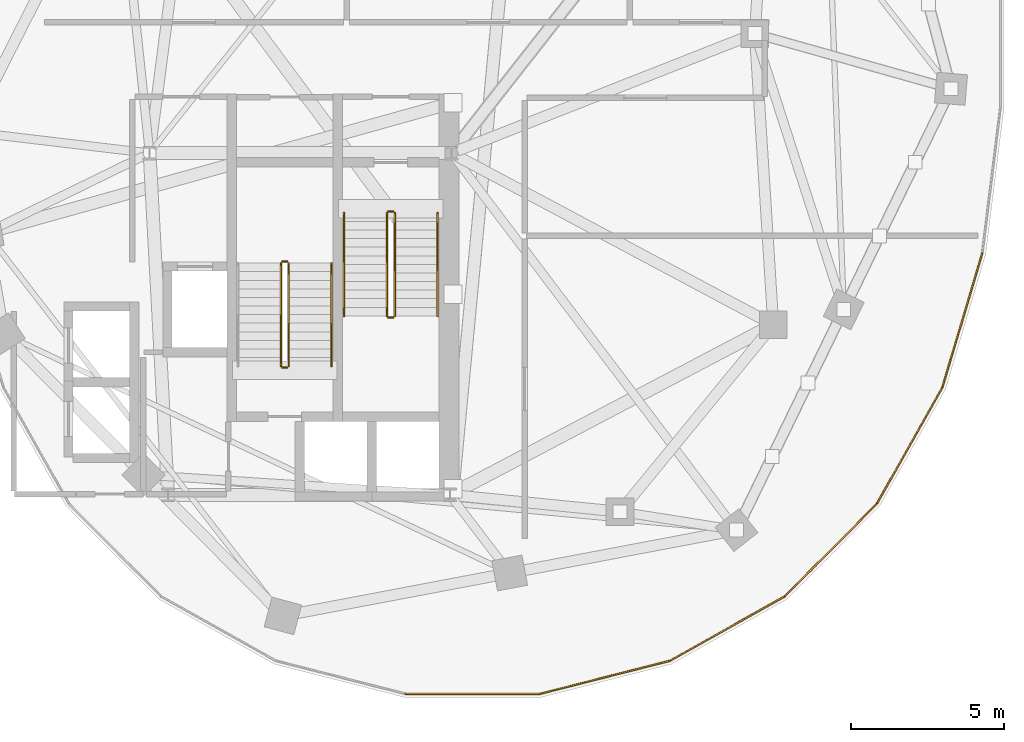
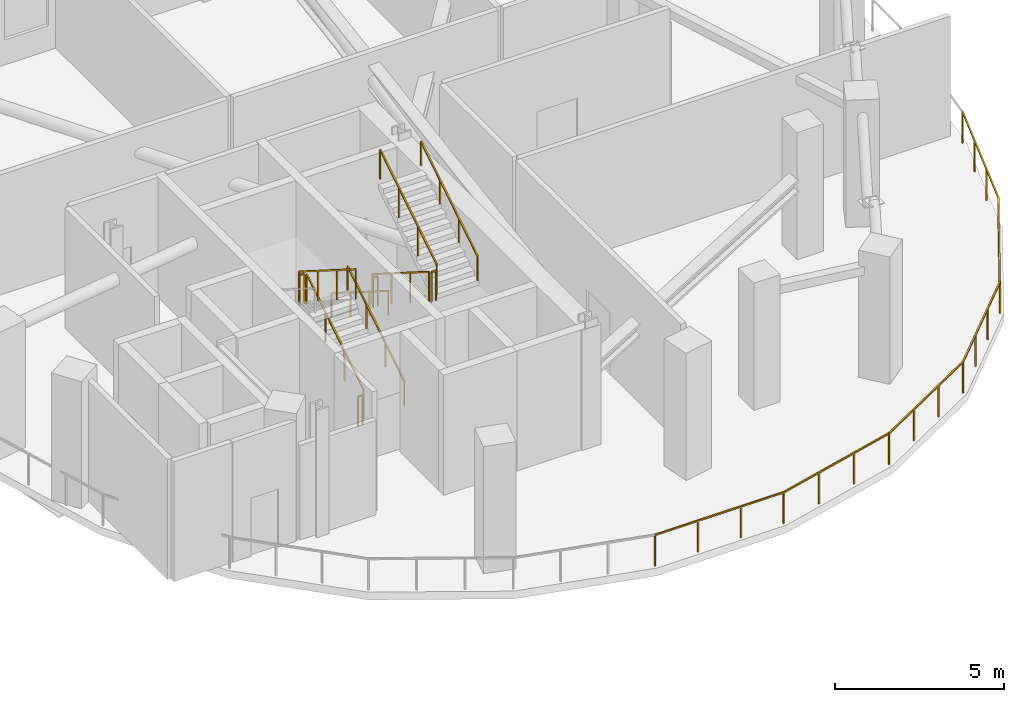
# One storey, part 13 of 14: 14 railings.
"""IFC4 building model written with IfcOpenShell, lengths in metres."""

import ifcopenshell
import ifcopenshell.guid

model = None  # the IFC model being written
_history = None  # IfcOwnerHistory: only IFC2X3 demands one
_inside = {}  # id of a spatial element -> (the spatial element, [elements in it])
_under = {}  # id of a project, library or spatial element -> (it, [spatial elements below it])
_declared = {}  # id of a project -> (the project, [libraries it declares])
_typed = {}  # id of a type object -> (the type object, [elements of that type])
_made_of = {}  # id of a material, layer set ... -> (it, [elements and type objects made of it])


def new_model(schema):
    """Start an empty IFC model of exactly this schema.

    Asked for "IFC4X3", IfcOpenShell would pick the latest addendum, in which some entities
    have other attributes; the version numbers below select the first issue.
    IFC2X3 requires an IfcOwnerHistory on every rooted entity: one is made here for all.
    """
    global model, _history
    if schema == "IFC4X3":
        model = ifcopenshell.file(schema_version=(4, 3, 0, 0))
    else:
        model = ifcopenshell.file(schema=schema)
    _inside.clear()
    _under.clear()
    _declared.clear()
    _typed.clear()
    _made_of.clear()
    _history = None
    if model.schema == "IFC2X3":
        org = make("IfcOrganization", Name="unknown")
        user = make(
            "IfcPersonAndOrganization",
            ThePerson=make("IfcPerson", FamilyName="unknown"),
            TheOrganization=org,
        )
        app = make(
            "IfcApplication",
            ApplicationDeveloper=org,
            Version="unknown",
            ApplicationFullName="unknown",
            ApplicationIdentifier="unknown",
        )
        _history = make(
            "IfcOwnerHistory",
            OwningUser=user,
            OwningApplication=app,
            ChangeAction="ADDED",
            CreationDate=0,
        )
    return model


def make(cls, **values):
    """One entity of the class cls with the attributes given. An attribute that is None is left unset."""
    return model.create_entity(
        cls, **{name: value for name, value in values.items() if value is not None}
    )


def rooted(cls, **values):
    """An entity with a GlobalId (a new one), such as an element, a storey or a relation."""
    return make(cls, GlobalId=ifcopenshell.guid.new(), OwnerHistory=_history, **values)


def si_unit(unit_type, name, prefix=None):
    """IfcSIUnit, for example si_unit("LENGTHUNIT", "METRE", prefix="MILLI")."""
    return make("IfcSIUnit", UnitType=unit_type, Prefix=prefix, Name=name)


def assignment(units):
    """IfcUnitAssignment: the units of a project."""
    return None if units is None else make("IfcUnitAssignment", Units=units)


def point(xyz):
    """IfcCartesianPoint."""
    return None if xyz is None else make("IfcCartesianPoint", Coordinates=xyz)


def direction(xyz):
    """IfcDirection."""
    return None if xyz is None else make("IfcDirection", DirectionRatios=xyz)


def frame(location, z_axis=None, x_axis=None):
    """IfcAxis2Placement3D, a coordinate frame: its origin and axes. An axis left out is left unset."""
    return make(
        "IfcAxis2Placement3D",
        Location=point(location),
        Axis=direction(z_axis),
        RefDirection=direction(x_axis),
    )


def frame_2d(location, x_axis=None):
    """IfcAxis2Placement2D, a coordinate frame in the plane: its origin and x axis."""
    return make(
        "IfcAxis2Placement2D", Location=point(location), RefDirection=direction(x_axis)
    )


def origin():
    """The frame at (0, 0, 0) with its axes left unset."""
    return frame((0.0, 0.0, 0.0))


def origin_2d():
    """The frame at (0, 0) in the plane with its x axis left unset."""
    return frame_2d((0.0, 0.0))


def place(relative_to, where):
    """IfcLocalPlacement: puts the frame where relative to a parent placement (None: the world)."""
    return make(
        "IfcLocalPlacement", PlacementRelTo=relative_to, RelativePlacement=where
    )


def context(
    kind, dimensions, precision=None, world=None, true_north=None, identifier=None
):
    """IfcGeometricRepresentationContext, for example the 3D "Model" context."""
    return make(
        "IfcGeometricRepresentationContext",
        ContextIdentifier=identifier,
        ContextType=kind,
        CoordinateSpaceDimension=dimensions,
        Precision=precision,
        WorldCoordinateSystem=world,
        TrueNorth=true_north,
    )


def subcontext(parent, identifier, kind, view, scale=None):
    """IfcGeometricRepresentationSubContext, for example "Body" below "Model"."""
    return make(
        "IfcGeometricRepresentationSubContext",
        ContextIdentifier=identifier,
        ContextType=kind,
        ParentContext=parent,
        TargetScale=scale,
        TargetView=view,
    )


def project(units=None, contexts=None):
    """IfcProject with its units and contexts."""
    return rooted(
        "IfcProject",
        Name="project",
        RepresentationContexts=contexts,
        UnitsInContext=assignment(units),
    )


def spatial(cls, under=None, at=None, **own):
    """A site, building, storey or space (cls), placed at a placement, below another one or the project."""
    s = rooted(cls, ObjectPlacement=at, **own)
    if under is not None:
        _under.setdefault(under.id(), (under, []))[1].append(s)
    return s


def profile(cls, at=None, kind="AREA", **sizes):
    """A parametric profile (cls). Its sizes go by their IFC names, for example OverallWidth=200.0."""
    return make(cls, ProfileType=kind, Position=at, **sizes)


def rectangle(**sizes):
    """IfcRectangleProfileDef."""
    return profile("IfcRectangleProfileDef", **sizes)


def extrude(swept, where, along, depth):
    """IfcExtrudedAreaSolid: the profile swept, set in the frame where, extruded along a direction by depth."""
    return make(
        "IfcExtrudedAreaSolid",
        SweptArea=swept,
        Position=where,
        ExtrudedDirection=direction(along),
        Depth=depth,
    )


def shape(context_of_items, identifier, shape_type, items):
    """IfcShapeRepresentation: the items that make up one representation, for example the "Body"."""
    return make(
        "IfcShapeRepresentation",
        ContextOfItems=context_of_items,
        RepresentationIdentifier=identifier,
        RepresentationType=shape_type,
        Items=items,
    )


def material(Name=None, Category=None):
    """IfcMaterial."""
    return make("IfcMaterial", Name=Name, Category=Category)


def made_of(thing, what):
    """Note that an element or type object is made of a material, layer set ...; save() writes the relation."""
    if what is not None:
        _made_of.setdefault(what.id(), (what, []))[1].append(thing)
    return thing


def type_object(cls, material=None, **own):
    """A type object (cls), such as IfcWallType, which elements share."""
    return made_of(rooted(cls, **own), material)


def element(
    cls,
    number,
    at=None,
    inside=None,
    cuts=None,
    type_object=None,
    material=None,
    context=None,
    identifier="Body",
    shape_type=None,
    held_by="IfcProductDefinitionShape",
    body=None,
    shapes=None,
    **own,
):
    """One element of the class cls, such as IfcWall. Its Tag is "e" and its number.

    at: its placement. inside: the storey or other place that contains it. cuts: it is an
    opening in that element (IfcRelVoidsElement). A single representation is given by context,
    identifier, shape_type and body (its items); several are given by shapes. held_by: the class
    of the entity that holds the representations. save() writes the other relations.
    """
    e = rooted(cls, Tag="e%d" % number, ObjectPlacement=at, **own)
    if body is not None:
        shapes = [shape(context, identifier, shape_type, body)]
    if shapes is not None:
        e.Representation = make(held_by, Representations=shapes)
    if inside is not None:
        _inside.setdefault(inside.id(), (inside, []))[1].append(e)
    if cuts is not None:
        rooted(
            "IfcRelVoidsElement", RelatingBuildingElement=cuts, RelatedOpeningElement=e
        )
    if type_object is not None:
        _typed.setdefault(type_object.id(), (type_object, []))[1].append(e)
    return made_of(e, material)


def aggregate(whole, parts):
    """IfcRelAggregates: a whole, such as a stair, and the parts it consists of."""
    return rooted("IfcRelAggregates", RelatingObject=whole, RelatedObjects=parts)


def save(model, path):
    """Write the relations noted so far, then the file.

    IfcRelAggregates (storeys below a building ...), IfcRelContainedInSpatialStructure (elements
    in a storey), IfcRelDefinesByType, IfcRelAssociatesMaterial and IfcRelDeclares: one each for
    every whole, place, type object, material and project.
    """
    for whole, parts in _under.values():
        aggregate(whole, parts)
    for where, things in _inside.values():
        rooted(
            "IfcRelContainedInSpatialStructure",
            RelatedElements=things,
            RelatingStructure=where,
        )
    for kind, things in _typed.values():
        rooted("IfcRelDefinesByType", RelatedObjects=things, RelatingType=kind)
    for what, things in _made_of.values():
        rooted("IfcRelAssociatesMaterial", RelatedObjects=things, RelatingMaterial=what)
    for by, libraries in _declared.values():
        rooted("IfcRelDeclares", RelatingContext=by, RelatedDefinitions=libraries)
    model.write(path)


model = new_model("IFC4")

# Units and contexts
model_context = context("Model", 3, precision=1e-05, world=origin(), true_north=direction((0.0, 1.0)))
body_context = subcontext(model_context, "Body", "Model", "MODEL_VIEW")
ifc_project = project(units=[si_unit("LENGTHUNIT", "METRE"), si_unit("AREAUNIT", "SQUARE_METRE"), si_unit("VOLUMEUNIT", "CUBIC_METRE"), si_unit("PLANEANGLEUNIT", "RADIAN"), si_unit("MASSUNIT", "GRAM", prefix="KILO"), si_unit("THERMODYNAMICTEMPERATUREUNIT", "KELVIN"), si_unit("POWERUNIT", "WATT")], contexts=[model_context])

# Site, building, storey
site_placement = place(None, origin())
site = spatial("IfcSite", under=ifc_project, at=site_placement, CompositionType="ELEMENT")
building_placement = place(site_placement, origin())
building = spatial("IfcBuilding", under=site, at=building_placement, Name="Cundina Bronze Exchange", CompositionType="ELEMENT")
storey_placement = place(building_placement, frame((0.0, 0.0, 187.199951171875)))
storey = spatial("IfcBuildingStorey", under=building, at=storey_placement, Name="L49", CompositionType="ELEMENT", Elevation=187.199951171875)

# Railings
ifc_material_1 = material(Name="Anodised Bronze Aluminium 6063-T6", Category="aluminium")
railing_type_1 = type_object("IfcRailingType", Name="RLG-GRD-1150", PredefinedType="GUARDRAIL", material=ifc_material_1)
railing_1_placement = place(storey_placement, frame((48.6171875, -7.17529296875, 0.0)))
element("IfcRailing", 1, at=railing_1_placement, inside=storey, type_object=railing_type_1, Name="L49 Perimeter Safety Guardrail 02", PredefinedType="GUARDRAIL", context=body_context, shape_type="SweptSolid", body=[
    extrude(rectangle(XDim=0.048095703125, YDim=0.048095703125, at=origin_2d()), frame((0.0, 0.0, 1.1259765625), z_axis=(-0.284864013169, -0.958567939168, 0.0), x_axis=(0.958567939168, -0.284864013169, 0.0)), (0.0, 0.0, 1.0), 4.564697265625),
    extrude(rectangle(XDim=0.048095703125, YDim=0.048095703125, at=origin_2d()), frame((-1.30029296875, -4.37548828125, 1.1259765625), z_axis=(-0.491134584651, -0.871083704221, 0.0), x_axis=(0.871083704221, -0.491134584651, 0.0)), (0.0, 0.0, 1.0), 4.35205078125),
    extrude(rectangle(XDim=0.0419921875, YDim=0.0419921875, at=origin_2d()), origin(), (0.0, 0.0, 1.0), 1.101806640625),
    extrude(rectangle(XDim=0.0419921875, YDim=0.0419921875, at=origin_2d()), frame((-0.433349609375, -1.45849609375, 0.0)), (0.0, 0.0, 1.0), 1.101806640625),
    extrude(rectangle(XDim=0.0419921875, YDim=0.0419921875, at=origin_2d()), frame((-0.866943359375, -2.9169921875, 0.0)), (0.0, 0.0, 1.0), 1.101806640625),
    extrude(rectangle(XDim=0.0419921875, YDim=0.0419921875, at=origin_2d()), frame((-1.30029296875, -4.37548828125, 0.0)), (0.0, 0.0, 1.0), 1.101806640625),
    extrude(rectangle(XDim=0.0419921875, YDim=0.0419921875, at=origin_2d()), frame((-2.0126953125, -5.63916015625, 0.0)), (0.0, 0.0, 1.0), 1.101806640625),
    extrude(rectangle(XDim=0.0419921875, YDim=0.0419921875, at=origin_2d()), frame((-2.725341796875, -6.90283203125, 0.0)), (0.0, 0.0, 1.0), 1.101806640625),
    extrude(rectangle(XDim=0.0419921875, YDim=0.0419921875, at=origin_2d()), frame((-3.437744140625, -8.16650390625, 0.0)), (0.0, 0.0, 1.0), 1.101806640625),
])
railing_2_placement = place(storey_placement, frame((45.179443359375, -15.341796875, 0.0)))
element("IfcRailing", 2, at=railing_2_placement, inside=storey, type_object=railing_type_1, Name="L49 Perimeter Safety Guardrail 03", PredefinedType="GUARDRAIL", context=body_context, shape_type="SweptSolid", body=[
    extrude(rectangle(XDim=0.048095703125, YDim=0.048095703125, at=origin_2d()), frame((0.0, 0.0, 1.1259765625), z_axis=(-0.705213293252, -0.70899521227, 0.0), x_axis=(0.70899521227, -0.705213293252, 0.0)), (0.0, 0.0, 1.0), 4.260498046875),
    extrude(rectangle(XDim=0.048095703125, YDim=0.048095703125, at=origin_2d()), frame((-3.004638671875, -3.020751953125, 1.1259765625), z_axis=(-0.871962493313, -0.48957268128, 0.0), x_axis=(0.48957268128, -0.871962493313, 0.0)), (0.0, 0.0, 1.0), 4.293701171875),
    extrude(rectangle(XDim=0.0419921875, YDim=0.0419921875, at=origin_2d()), origin(), (0.0, 0.0, 1.0), 1.101806640625),
    extrude(rectangle(XDim=0.0419921875, YDim=0.0419921875, at=origin_2d()), frame((-1.00146484375, -1.0068359375, 0.0)), (0.0, 0.0, 1.0), 1.101806640625),
    extrude(rectangle(XDim=0.0419921875, YDim=0.0419921875, at=origin_2d()), frame((-2.003173828125, -2.013916015625, 0.0)), (0.0, 0.0, 1.0), 1.101806640625),
    extrude(rectangle(XDim=0.0419921875, YDim=0.0419921875, at=origin_2d()), frame((-3.004638671875, -3.020751953125, 0.0)), (0.0, 0.0, 1.0), 1.101806640625),
    extrude(rectangle(XDim=0.0419921875, YDim=0.0419921875, at=origin_2d()), frame((-4.252685546875, -3.721435546875, 0.0)), (0.0, 0.0, 1.0), 1.101806640625),
    extrude(rectangle(XDim=0.0419921875, YDim=0.0419921875, at=origin_2d()), frame((-5.50048828125, -4.422119140625, 0.0)), (0.0, 0.0, 1.0), 1.101806640625),
    extrude(rectangle(XDim=0.0419921875, YDim=0.0419921875, at=origin_2d()), frame((-6.74853515625, -5.122802734375, 0.0)), (0.0, 0.0, 1.0), 1.101806640625),
])
railing_3_placement = place(storey_placement, frame((38.430908203125, -20.464599609375, 0.0)))
element("IfcRailing", 3, at=railing_3_placement, inside=storey, type_object=railing_type_1, Name="L49 Perimeter Safety Guardrail 04", PredefinedType="GUARDRAIL", context=body_context, shape_type="SweptSolid", body=[
    extrude(rectangle(XDim=0.048095703125, YDim=0.048095703125, at=origin_2d()), frame((0.0, 0.0, 1.1259765625), z_axis=(-0.969034209537, -0.246926508799, 0.0), x_axis=(0.246926508799, -0.969034209537, 0.0)), (0.0, 0.0, 1.0), 4.3671875),
    extrude(rectangle(XDim=0.048095703125, YDim=0.048095703125, at=origin_2d()), frame((-4.23193359375, -1.078369140625, 1.1259765625), z_axis=(-1.0, 0.0, 0.0), x_axis=(0.0, -1.0, 0.0)), (0.0, 0.0, 1.0), 4.39794921875),
    extrude(rectangle(XDim=0.0419921875, YDim=0.0419921875, at=origin_2d()), origin(), (0.0, 0.0, 1.0), 1.101806640625),
    extrude(rectangle(XDim=0.0419921875, YDim=0.0419921875, at=origin_2d()), frame((-1.41064453125, -0.359375, 0.0)), (0.0, 0.0, 1.0), 1.101806640625),
    extrude(rectangle(XDim=0.0419921875, YDim=0.0419921875, at=origin_2d()), frame((-2.8212890625, -0.718994140625, 0.0)), (0.0, 0.0, 1.0), 1.101806640625),
    extrude(rectangle(XDim=0.0419921875, YDim=0.0419921875, at=origin_2d()), frame((-4.23193359375, -1.078369140625, 0.0)), (0.0, 0.0, 1.0), 1.101806640625),
    extrude(rectangle(XDim=0.0419921875, YDim=0.0419921875, at=origin_2d()), frame((-5.697998046875, -1.078369140625, 0.0)), (0.0, 0.0, 1.0), 1.101806640625),
    extrude(rectangle(XDim=0.0419921875, YDim=0.0419921875, at=origin_2d()), frame((-7.163818359375, -1.078369140625, 0.0)), (0.0, 0.0, 1.0), 1.101806640625),
    extrude(rectangle(XDim=0.0419921875, YDim=0.0419921875, at=origin_2d()), frame((-8.6298828125, -1.078369140625, 0.0)), (0.0, 0.0, 1.0), 1.101806640625),
])
ifc_material_2 = material(Name="Steel ASTM A36 Painted", Category="steel")
railing_type_2 = type_object("IfcRailingType", Name="RLG-HND-900", PredefinedType="HANDRAIL", material=ifc_material_2)
railing_4_placement = place(storey_placement, frame((27.7900390625, -5.85009765625, 0.177001953125)))
element("IfcRailing", 4, at=railing_4_placement, inside=storey, type_object=railing_type_2, Name="L49 ST-E1 stair handrail 1", PredefinedType="HANDRAIL", context=body_context, shape_type="SweptSolid", body=[
    extrude(rectangle(XDim=0.048095703125, YDim=0.048095703125, at=origin_2d()), frame((0.0, 0.0, 0.8759765625), z_axis=(0.0, -0.845372108799, 0.534177870812), x_axis=(1.0, 0.0, 0.0)), (0.0, 0.0, 1.0), 3.974365234375),
    extrude(rectangle(XDim=0.0419921875, YDim=0.0419921875, at=origin_2d()), origin(), (0.0, 0.0, 1.0), 0.851806640625),
    extrude(rectangle(XDim=0.0419921875, YDim=0.0419921875, at=origin_2d()), frame((0.0, -1.119873046875, 0.707763671875)), (0.0, 0.0, 1.0), 0.851806640625),
    extrude(rectangle(XDim=0.0419921875, YDim=0.0419921875, at=origin_2d()), frame((0.0, -2.239990234375, 1.415283203125)), (0.0, 0.0, 1.0), 0.851806640625),
    extrude(rectangle(XDim=0.0419921875, YDim=0.0419921875, at=origin_2d()), frame((0.0, -3.35986328125, 2.123046875)), (0.0, 0.0, 1.0), 0.851806640625),
])
railing_5_placement = place(storey_placement, frame((30.85009765625, -9.2099609375, 2.47705078125)))
element("IfcRailing", 5, at=railing_5_placement, inside=storey, type_object=railing_type_2, Name="L49 ST-E1 stair handrail 2", PredefinedType="HANDRAIL", context=body_context, shape_type="SweptSolid", body=[
    extrude(rectangle(XDim=0.048095703125, YDim=0.048095703125, at=origin_2d()), frame((0.0, 0.0, 0.8759765625), z_axis=(0.0, 0.845372108799, 0.534177870812), x_axis=(-1.0, 0.0, 0.0)), (0.0, 0.0, 1.0), 3.974365234375),
    extrude(rectangle(XDim=0.0419921875, YDim=0.0419921875, at=origin_2d()), origin(), (0.0, 0.0, 1.0), 0.851806640625),
    extrude(rectangle(XDim=0.0419921875, YDim=0.0419921875, at=origin_2d()), frame((0.0, 1.119873046875, 0.707763671875)), (0.0, 0.0, 1.0), 0.851806640625),
    extrude(rectangle(XDim=0.0419921875, YDim=0.0419921875, at=origin_2d()), frame((0.0, 2.239990234375, 1.415283203125)), (0.0, 0.0, 1.0), 0.851806640625),
    extrude(rectangle(XDim=0.0419921875, YDim=0.0419921875, at=origin_2d()), frame((0.0, 3.35986328125, 2.123046875)), (0.0, 0.0, 1.0), 0.851806640625),
])
railing_6_placement = place(storey_placement, frame((27.389892578125, -10.85009765625, 0.177001953125)))
element("IfcRailing", 6, at=railing_6_placement, inside=storey, type_object=railing_type_2, Name="L49 ST-E2 stair handrail 1", PredefinedType="HANDRAIL", context=body_context, shape_type="SweptSolid", body=[
    extrude(rectangle(XDim=0.048095703125, YDim=0.048095703125, at=origin_2d()), frame((0.0, 0.0, 0.8759765625), z_axis=(0.0, 0.845389635667, 0.534150132366), x_axis=(-1.0, 0.0, 0.0)), (0.0, 0.0, 1.0), 3.974609375),
    extrude(rectangle(XDim=0.0419921875, YDim=0.0419921875, at=origin_2d()), origin(), (0.0, 0.0, 1.0), 0.851806640625),
    extrude(rectangle(XDim=0.0419921875, YDim=0.0419921875, at=origin_2d()), frame((0.0, 1.1201171875, 0.707763671875)), (0.0, 0.0, 1.0), 0.851806640625),
    extrude(rectangle(XDim=0.0419921875, YDim=0.0419921875, at=origin_2d()), frame((0.0, 2.239990234375, 1.415283203125)), (0.0, 0.0, 1.0), 0.851806640625),
    extrude(rectangle(XDim=0.0419921875, YDim=0.0419921875, at=origin_2d()), frame((0.0, 3.360107421875, 2.123046875)), (0.0, 0.0, 1.0), 0.851806640625),
])
railing_type_3 = type_object("IfcRailingType", Name="RLG-STG-1100", PredefinedType="GUARDRAIL", material=ifc_material_2)
railing_7_placement = place(storey_placement, frame((29.18994140625, -5.85009765625, 0.177001953125)))
element("IfcRailing", 7, at=railing_7_placement, inside=storey, type_object=railing_type_3, Name="L49 ST-E1 stair guard 1", PredefinedType="GUARDRAIL", context=body_context, shape_type="SweptSolid", body=[
    extrude(rectangle(XDim=0.048095703125, YDim=0.048095703125, at=origin_2d()), frame((0.0, 0.0, 1.076171875), z_axis=(0.0, -0.845372108799, 0.534177870812), x_axis=(1.0, 0.0, 0.0)), (0.0, 0.0, 1.0), 3.974365234375),
    extrude(rectangle(XDim=0.0419921875, YDim=0.0419921875, at=origin_2d()), origin(), (0.0, 0.0, 1.0), 1.052001953125),
    extrude(rectangle(XDim=0.0419921875, YDim=0.0419921875, at=origin_2d()), frame((0.0, -1.119873046875, 0.707763671875)), (0.0, 0.0, 1.0), 1.052001953125),
    extrude(rectangle(XDim=0.0419921875, YDim=0.0419921875, at=origin_2d()), frame((0.0, -2.239990234375, 1.415283203125)), (0.0, 0.0, 1.0), 1.052001953125),
    extrude(rectangle(XDim=0.0419921875, YDim=0.0419921875, at=origin_2d()), frame((0.0, -3.35986328125, 2.123046875)), (0.0, 0.0, 1.0), 1.052001953125),
])
railing_8_placement = place(storey_placement, frame((29.239990234375, -9.260009765625, 2.300048828125)))
element("IfcRailing", 8, at=railing_8_placement, inside=storey, type_object=railing_type_3, Name="L49 ST-E1 stair guard 2", PredefinedType="GUARDRAIL", context=body_context, shape_type="SweptSolid", body=[
    extrude(rectangle(XDim=0.048095703125, YDim=0.048095703125, at=origin_2d()), frame((0.0, 0.0, 1.076171875), z_axis=(1.0, 0.0, 0.0), x_axis=(0.0, 1.0, 0.0)), (0.0, 0.0, 1.0), 0.159912109375),
    extrude(rectangle(XDim=0.0419921875, YDim=0.0419921875, at=origin_2d()), origin(), (0.0, 0.0, 1.0), 1.052001953125),
    extrude(rectangle(XDim=0.0419921875, YDim=0.0419921875, at=origin_2d()), frame((0.159912109375, 0.0, 0.0)), (0.0, 0.0, 1.0), 1.052001953125),
])
railing_9_placement = place(storey_placement, frame((29.449951171875, -9.2099609375, 2.47705078125)))
element("IfcRailing", 9, at=railing_9_placement, inside=storey, type_object=railing_type_3, Name="L49 ST-E1 stair guard 3", PredefinedType="GUARDRAIL", context=body_context, shape_type="SweptSolid", body=[
    extrude(rectangle(XDim=0.048095703125, YDim=0.048095703125, at=origin_2d()), frame((0.0, 0.0, 1.076171875), z_axis=(0.0, 0.845372108799, 0.534177870812), x_axis=(-1.0, 0.0, 0.0)), (0.0, 0.0, 1.0), 3.974365234375),
    extrude(rectangle(XDim=0.0419921875, YDim=0.0419921875, at=origin_2d()), origin(), (0.0, 0.0, 1.0), 1.052001953125),
    extrude(rectangle(XDim=0.0419921875, YDim=0.0419921875, at=origin_2d()), frame((0.0, 1.119873046875, 0.707763671875)), (0.0, 0.0, 1.0), 1.052001953125),
    extrude(rectangle(XDim=0.0419921875, YDim=0.0419921875, at=origin_2d()), frame((0.0, 2.239990234375, 1.415283203125)), (0.0, 0.0, 1.0), 1.052001953125),
    extrude(rectangle(XDim=0.0419921875, YDim=0.0419921875, at=origin_2d()), frame((0.0, 3.35986328125, 2.123046875)), (0.0, 0.0, 1.0), 1.052001953125),
])
railing_10_placement = place(storey_placement, frame((29.239990234375, -5.800048828125, 0.0)))
element("IfcRailing", 10, at=railing_10_placement, inside=storey, type_object=railing_type_3, Name="L49 ST-E1 stair guard 4", PredefinedType="GUARDRAIL", context=body_context, shape_type="SweptSolid", body=[
    extrude(rectangle(XDim=0.048095703125, YDim=0.048095703125, at=origin_2d()), frame((0.0, 0.0, 1.076171875), z_axis=(1.0, 0.0, 0.0), x_axis=(0.0, 1.0, 0.0)), (0.0, 0.0, 1.0), 0.159912109375),
    extrude(rectangle(XDim=0.0419921875, YDim=0.0419921875, at=origin_2d()), origin(), (0.0, 0.0, 1.0), 1.052001953125),
    extrude(rectangle(XDim=0.0419921875, YDim=0.0419921875, at=origin_2d()), frame((0.159912109375, 0.0, 0.0)), (0.0, 0.0, 1.0), 1.052001953125),
])
railing_11_placement = place(storey_placement, frame((25.989990234375, -10.85009765625, 0.177001953125)))
element("IfcRailing", 11, at=railing_11_placement, inside=storey, type_object=railing_type_3, Name="L49 ST-E2 stair guard 1", PredefinedType="GUARDRAIL", context=body_context, shape_type="SweptSolid", body=[
    extrude(rectangle(XDim=0.048095703125, YDim=0.048095703125, at=origin_2d()), frame((0.0, 0.0, 1.076171875), z_axis=(0.0, 0.845389635667, 0.534150132366), x_axis=(-1.0, 0.0, 0.0)), (0.0, 0.0, 1.0), 3.974609375),
    extrude(rectangle(XDim=0.0419921875, YDim=0.0419921875, at=origin_2d()), origin(), (0.0, 0.0, 1.0), 1.052001953125),
    extrude(rectangle(XDim=0.0419921875, YDim=0.0419921875, at=origin_2d()), frame((0.0, 1.1201171875, 0.707763671875)), (0.0, 0.0, 1.0), 1.052001953125),
    extrude(rectangle(XDim=0.0419921875, YDim=0.0419921875, at=origin_2d()), frame((0.0, 2.239990234375, 1.415283203125)), (0.0, 0.0, 1.0), 1.052001953125),
    extrude(rectangle(XDim=0.0419921875, YDim=0.0419921875, at=origin_2d()), frame((0.0, 3.360107421875, 2.123046875)), (0.0, 0.0, 1.0), 1.052001953125),
])
railing_12_placement = place(storey_placement, frame((25.93994140625, -7.43994140625, 2.300048828125)))
element("IfcRailing", 12, at=railing_12_placement, inside=storey, type_object=railing_type_3, Name="L49 ST-E2 stair guard 2", PredefinedType="GUARDRAIL", context=body_context, shape_type="SweptSolid", body=[
    extrude(rectangle(XDim=0.048095703125, YDim=0.048095703125, at=origin_2d()), frame((0.0, 0.0, 1.076171875), z_axis=(-1.0, 0.0, 0.0), x_axis=(0.0, -1.0, 0.0)), (0.0, 0.0, 1.0), 0.159912109375),
    extrude(rectangle(XDim=0.0419921875, YDim=0.0419921875, at=origin_2d()), origin(), (0.0, 0.0, 1.0), 1.052001953125),
    extrude(rectangle(XDim=0.0419921875, YDim=0.0419921875, at=origin_2d()), frame((-0.159912109375, 0.0, 0.0)), (0.0, 0.0, 1.0), 1.052001953125),
])
railing_13_placement = place(storey_placement, frame((25.72998046875, -7.489990234375, 2.47705078125)))
element("IfcRailing", 13, at=railing_13_placement, inside=storey, type_object=railing_type_3, Name="L49 ST-E2 stair guard 3", PredefinedType="GUARDRAIL", context=body_context, shape_type="SweptSolid", body=[
    extrude(rectangle(XDim=0.048095703125, YDim=0.048095703125, at=origin_2d()), frame((0.0, 0.0, 1.076171875), z_axis=(0.0, -0.845389635667, 0.534150132366), x_axis=(1.0, 0.0, 0.0)), (0.0, 0.0, 1.0), 3.974609375),
    extrude(rectangle(XDim=0.0419921875, YDim=0.0419921875, at=origin_2d()), origin(), (0.0, 0.0, 1.0), 1.052001953125),
    extrude(rectangle(XDim=0.0419921875, YDim=0.0419921875, at=origin_2d()), frame((0.0, -1.1201171875, 0.707763671875)), (0.0, 0.0, 1.0), 1.052001953125),
    extrude(rectangle(XDim=0.0419921875, YDim=0.0419921875, at=origin_2d()), frame((0.0, -2.239990234375, 1.415283203125)), (0.0, 0.0, 1.0), 1.052001953125),
    extrude(rectangle(XDim=0.0419921875, YDim=0.0419921875, at=origin_2d()), frame((0.0, -3.360107421875, 2.123046875)), (0.0, 0.0, 1.0), 1.052001953125),
])
railing_14_placement = place(storey_placement, frame((25.93994140625, -10.89990234375, 0.0)))
element("IfcRailing", 14, at=railing_14_placement, inside=storey, type_object=railing_type_3, Name="L49 ST-E2 stair guard 4", PredefinedType="GUARDRAIL", context=body_context, shape_type="SweptSolid", body=[
    extrude(rectangle(XDim=0.048095703125, YDim=0.048095703125, at=origin_2d()), frame((0.0, 0.0, 1.076171875), z_axis=(-1.0, 0.0, 0.0), x_axis=(0.0, -1.0, 0.0)), (0.0, 0.0, 1.0), 0.159912109375),
    extrude(rectangle(XDim=0.0419921875, YDim=0.0419921875, at=origin_2d()), origin(), (0.0, 0.0, 1.0), 1.052001953125),
    extrude(rectangle(XDim=0.0419921875, YDim=0.0419921875, at=origin_2d()), frame((-0.159912109375, 0.0, 0.0)), (0.0, 0.0, 1.0), 1.052001953125),
])

save(model, "model.ifc")
